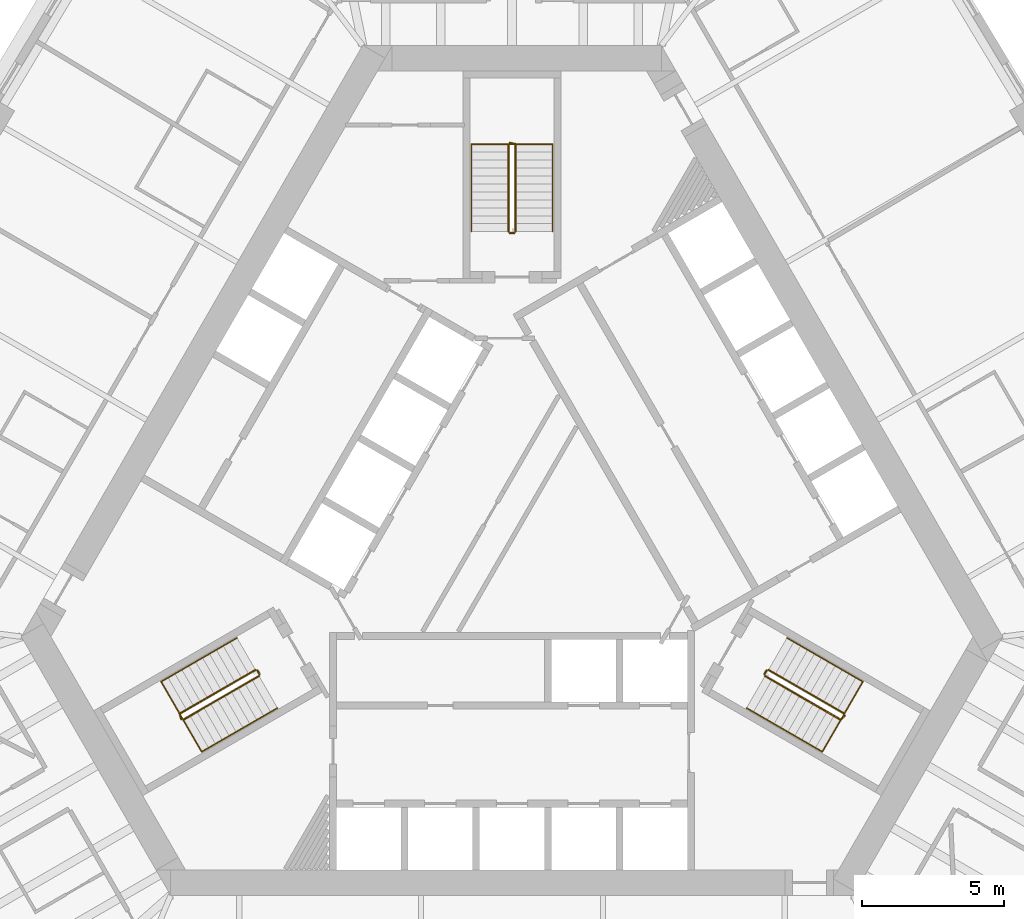
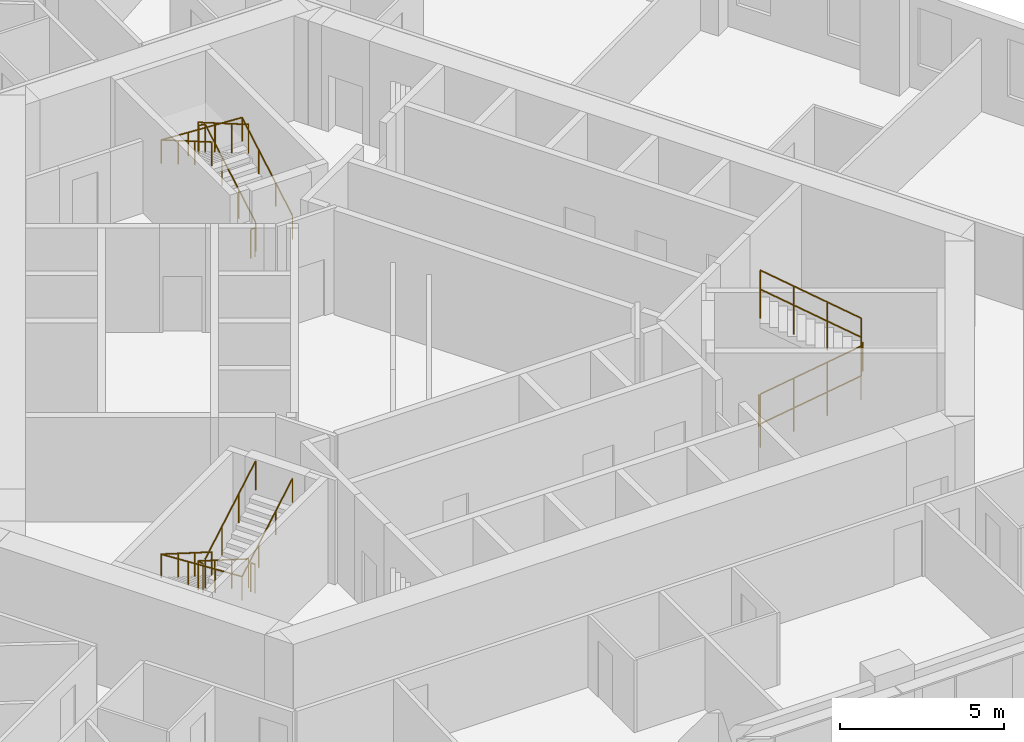
# One storey, part 12 of 12: 12 railings.
"""IFC4 building model written with IfcOpenShell, lengths in metres."""

from ifc_helpers import new_model, si_unit, direction, frame, origin, origin_2d, place, context, subcontext, project, spatial, circle, extrude, material, type_object, element, save


model = new_model("IFC4")

# Units and contexts
model_context = context("Model", 3, precision=1e-05, world=origin(), true_north=direction((0.0, 1.0)))
body_context = subcontext(model_context, "Body", "Model", "MODEL_VIEW")
ifc_project = project(units=[si_unit("LENGTHUNIT", "METRE"), si_unit("AREAUNIT", "SQUARE_METRE"), si_unit("VOLUMEUNIT", "CUBIC_METRE"), si_unit("PLANEANGLEUNIT", "RADIAN"), si_unit("MASSUNIT", "GRAM", prefix="KILO")], contexts=[model_context])

# Site, building, storey
site_placement = place(None, origin())
site = spatial("IfcSite", under=ifc_project, at=site_placement, CompositionType="ELEMENT")
building_placement = place(site_placement, origin())
building = spatial("IfcBuilding", under=site, at=building_placement, Name="Mestral Congress Tower", CompositionType="ELEMENT")
storey_placement = place(building_placement, frame((0.0, 0.0, 74.39990234375)))
storey = spatial("IfcBuildingStorey", under=building, at=storey_placement, Name="L17", CompositionType="ELEMENT", Elevation=74.39990234375)

# Railings
ifc_material_1 = material(Name="Steel balustrade", Category="steel")
railing_type_1 = type_object("IfcRailingType", Name="Stair guard 1100", PredefinedType="GUARDRAIL", material=ifc_material_1)
railing_1_placement = place(storey_placement, frame((8.90087890625, -5.283203125, 0.16259765625)))
element("IfcRailing", 1, at=railing_1_placement, inside=storey, type_object=railing_type_1, Name="L17 ST1 stair guard 1", PredefinedType="GUARDRAIL", context=body_context, shape_type="SweptSolid", body=[
    extrude(circle(Radius=0.02392578125, at=origin_2d()), frame((0.0, 0.0, 1.076171875), z_axis=(0.748993966903, -0.432462603499, 0.501980212875), x_axis=(0.500026652407, 0.866010015463, 0.0)), (0.0, 0.0, 1.0), 3.56103515625),
    extrude(circle(Radius=0.02392578125, at=origin_2d()), frame((2.667236328125, -1.5400390625, 2.86376953125), z_axis=(0.695164929852, 0.718850276695, 0.0), x_axis=(-0.718850276695, 0.695164929852, 0.0)), (0.0, 0.0, 1.0), 0.2060546875),
    extrude(circle(Radius=0.02099609375, at=origin_2d()), origin(), (0.0, 0.0, 1.0), 1.052001953125),
    extrude(circle(Radius=0.02099609375, at=origin_2d()), frame((0.88916015625, -0.513427734375, 0.595947265625)), (0.0, 0.0, 1.0), 1.052001953125),
    extrude(circle(Radius=0.02099609375, at=origin_2d()), frame((1.778076171875, -1.026611328125, 1.191650390625)), (0.0, 0.0, 1.0), 1.052001953125),
    extrude(circle(Radius=0.02099609375, at=origin_2d()), frame((2.667236328125, -1.5400390625, 1.78759765625)), (0.0, 0.0, 1.0), 1.052001953125),
    extrude(circle(Radius=0.02099609375, at=origin_2d()), frame((2.810546875, -1.391845703125, 1.78759765625)), (0.0, 0.0, 1.0), 1.052001953125),
])
railing_2_placement = place(storey_placement, frame((11.693115234375, -6.606689453125, 2.112548828125)))
element("IfcRailing", 2, at=railing_2_placement, inside=storey, type_object=railing_type_1, Name="L17 ST1 stair guard 2", PredefinedType="GUARDRAIL", context=body_context, shape_type="SweptSolid", body=[
    extrude(circle(Radius=0.02392578125, at=origin_2d()), frame((0.0, 0.0, 1.076171875), z_axis=(-0.748993966903, 0.432462603499, 0.501980212875), x_axis=(-0.500026652407, -0.866010015463, 0.0)), (0.0, 0.0, 1.0), 3.56103515625),
    extrude(circle(Radius=0.02099609375, at=origin_2d()), origin(), (0.0, 0.0, 1.0), 1.052001953125),
    extrude(circle(Radius=0.02099609375, at=origin_2d()), frame((-0.88916015625, 0.513427734375, 0.595947265625)), (0.0, 0.0, 1.0), 1.052001953125),
    extrude(circle(Radius=0.02099609375, at=origin_2d()), frame((-1.778076171875, 1.026611328125, 1.191650390625)), (0.0, 0.0, 1.0), 1.052001953125),
    extrude(circle(Radius=0.02099609375, at=origin_2d()), frame((-2.667236328125, 1.5400390625, 1.78759765625)), (0.0, 0.0, 1.0), 1.052001953125),
])
railing_3_placement = place(storey_placement, frame((8.882568359375, -5.21484375, 0.0)))
element("IfcRailing", 3, at=railing_3_placement, inside=storey, type_object=railing_type_1, Name="L17 ST1 stair guard 3", PredefinedType="GUARDRAIL", context=body_context, shape_type="SweptSolid", body=[
    extrude(circle(Radius=0.02392578125, at=origin_2d()), frame((0.0, 0.0, 1.076171875), z_axis=(0.499816412211, 0.866131372301, 0.0), x_axis=(-0.866131372301, 0.499816412211, 0.0)), (0.0, 0.0, 1.0), 0.14990234375),
    extrude(circle(Radius=0.02099609375, at=origin_2d()), origin(), (0.0, 0.0, 1.0), 1.052001953125),
    extrude(circle(Radius=0.02099609375, at=origin_2d()), frame((0.074951171875, 0.1298828125, 0.0)), (0.0, 0.0, 1.0), 1.052001953125),
])
railing_4_placement = place(storey_placement, frame((0.125, 10.35009765625, 0.16259765625)))
element("IfcRailing", 4, at=railing_4_placement, inside=storey, type_object=railing_type_1, Name="L17 ST2 stair guard 1", PredefinedType="GUARDRAIL", context=body_context, shape_type="SweptSolid", body=[
    extrude(circle(Radius=0.02392578125, at=origin_2d()), frame((0.0, 0.0, 1.076171875), z_axis=(0.0, 0.864873446163, 0.501989962173), x_axis=(-1.0, 0.0, 0.0)), (0.0, 0.0, 1.0), 3.56103515625),
    extrude(circle(Radius=0.02392578125, at=origin_2d()), frame((0.0, 3.079833984375, 2.86376953125), z_axis=(-0.970072785993, 0.242814311512, 0.0), x_axis=(-0.242814311512, -0.970072785993, 0.0)), (0.0, 0.0, 1.0), 0.2060546875),
    extrude(circle(Radius=0.02099609375, at=origin_2d()), origin(), (0.0, 0.0, 1.0), 1.052001953125),
    extrude(circle(Radius=0.02099609375, at=origin_2d()), frame((0.0, 1.026611328125, 0.595947265625)), (0.0, 0.0, 1.0), 1.052001953125),
    extrude(circle(Radius=0.02099609375, at=origin_2d()), frame((0.0, 2.05322265625, 1.191650390625)), (0.0, 0.0, 1.0), 1.052001953125),
    extrude(circle(Radius=0.02099609375, at=origin_2d()), frame((0.0, 3.079833984375, 1.78759765625)), (0.0, 0.0, 1.0), 1.052001953125),
    extrude(circle(Radius=0.02099609375, at=origin_2d()), frame((-0.199951171875, 3.1298828125, 1.78759765625)), (0.0, 0.0, 1.0), 1.052001953125),
])
railing_5_placement = place(storey_placement, frame((-0.125, 13.429931640625, 2.112548828125)))
element("IfcRailing", 5, at=railing_5_placement, inside=storey, type_object=railing_type_1, Name="L17 ST2 stair guard 2", PredefinedType="GUARDRAIL", context=body_context, shape_type="SweptSolid", body=[
    extrude(circle(Radius=0.02392578125, at=origin_2d()), frame((0.0, 0.0, 1.076171875), z_axis=(0.0, -0.864873446163, 0.501989962173), x_axis=(1.0, 0.0, 0.0)), (0.0, 0.0, 1.0), 3.56103515625),
    extrude(circle(Radius=0.02099609375, at=origin_2d()), origin(), (0.0, 0.0, 1.0), 1.052001953125),
    extrude(circle(Radius=0.02099609375, at=origin_2d()), frame((0.0, -1.026611328125, 0.595947265625)), (0.0, 0.0, 1.0), 1.052001953125),
    extrude(circle(Radius=0.02099609375, at=origin_2d()), frame((0.0, -2.05322265625, 1.191650390625)), (0.0, 0.0, 1.0), 1.052001953125),
    extrude(circle(Radius=0.02099609375, at=origin_2d()), frame((0.0, -3.079833984375, 1.78759765625)), (0.0, 0.0, 1.0), 1.052001953125),
])
railing_6_placement = place(storey_placement, frame((0.074951171875, 10.300048828125, 0.0)))
element("IfcRailing", 6, at=railing_6_placement, inside=storey, type_object=railing_type_1, Name="L17 ST2 stair guard 3", PredefinedType="GUARDRAIL", context=body_context, shape_type="SweptSolid", body=[
    extrude(circle(Radius=0.02392578125, at=origin_2d()), frame((0.0, 0.0, 1.076171875), z_axis=(-1.0, 0.0, 0.0), x_axis=(0.0, -1.0, 0.0)), (0.0, 0.0, 1.0), 0.14990234375),
    extrude(circle(Radius=0.02099609375, at=origin_2d()), origin(), (0.0, 0.0, 1.0), 1.052001953125),
    extrude(circle(Radius=0.02099609375, at=origin_2d()), frame((-0.14990234375, 0.0, 0.0)), (0.0, 0.0, 1.0), 1.052001953125),
])
railing_7_placement = place(storey_placement, frame((-9.02587890625, -5.066650390625, 0.16259765625)))
element("IfcRailing", 7, at=railing_7_placement, inside=storey, type_object=railing_type_1, Name="L17 ST3 stair guard 1", PredefinedType="GUARDRAIL", context=body_context, shape_type="SweptSolid", body=[
    extrude(circle(Radius=0.02392578125, at=origin_2d()), frame((0.0, 0.0, 1.076171875), z_axis=(-0.748993966903, -0.432462603499, 0.501980212875), x_axis=(0.500026652407, -0.866010015463, 0.0)), (0.0, 0.0, 1.0), 3.56103515625),
    extrude(circle(Radius=0.02392578125, at=origin_2d()), frame((-2.667236328125, -1.5400390625, 2.86376953125), z_axis=(0.274721127897, -0.961523947641, 0.0), x_axis=(0.961523947641, 0.274721127897, 0.0)), (0.0, 0.0, 1.0), 0.2060546875),
    extrude(circle(Radius=0.02099609375, at=origin_2d()), origin(), (0.0, 0.0, 1.0), 1.052001953125),
    extrude(circle(Radius=0.02099609375, at=origin_2d()), frame((-0.88916015625, -0.513427734375, 0.595947265625)), (0.0, 0.0, 1.0), 1.052001953125),
    extrude(circle(Radius=0.02099609375, at=origin_2d()), frame((-1.778076171875, -1.026611328125, 1.191650390625)), (0.0, 0.0, 1.0), 1.052001953125),
    extrude(circle(Radius=0.02099609375, at=origin_2d()), frame((-2.667236328125, -1.5400390625, 1.78759765625)), (0.0, 0.0, 1.0), 1.052001953125),
    extrude(circle(Radius=0.02099609375, at=origin_2d()), frame((-2.610595703125, -1.73828125, 1.78759765625)), (0.0, 0.0, 1.0), 1.052001953125),
])
railing_8_placement = place(storey_placement, frame((-11.568115234375, -6.8232421875, 2.112548828125)))
element("IfcRailing", 8, at=railing_8_placement, inside=storey, type_object=railing_type_1, Name="L17 ST3 stair guard 2", PredefinedType="GUARDRAIL", context=body_context, shape_type="SweptSolid", body=[
    extrude(circle(Radius=0.02392578125, at=origin_2d()), frame((0.0, 0.0, 1.076171875), z_axis=(0.748993966903, 0.432462603499, 0.501980212875), x_axis=(-0.500026652407, 0.866010015463, 0.0)), (0.0, 0.0, 1.0), 3.56103515625),
    extrude(circle(Radius=0.02099609375, at=origin_2d()), origin(), (0.0, 0.0, 1.0), 1.052001953125),
    extrude(circle(Radius=0.02099609375, at=origin_2d()), frame((0.88916015625, 0.513427734375, 0.595947265625)), (0.0, 0.0, 1.0), 1.052001953125),
    extrude(circle(Radius=0.02099609375, at=origin_2d()), frame((1.778076171875, 1.026611328125, 1.191650390625)), (0.0, 0.0, 1.0), 1.052001953125),
    extrude(circle(Radius=0.02099609375, at=origin_2d()), frame((2.667236328125, 1.5400390625, 1.78759765625)), (0.0, 0.0, 1.0), 1.052001953125),
])
railing_9_placement = place(storey_placement, frame((-8.95751953125, -5.0849609375, 0.0)))
element("IfcRailing", 9, at=railing_9_placement, inside=storey, type_object=railing_type_1, Name="L17 ST3 stair guard 3", PredefinedType="GUARDRAIL", context=body_context, shape_type="SweptSolid", body=[
    extrude(circle(Radius=0.02392578125, at=origin_2d()), frame((0.0, 0.0, 1.076171875), z_axis=(0.499816412211, -0.866131372301, 0.0), x_axis=(0.866131372301, 0.499816412211, 0.0)), (0.0, 0.0, 1.0), 0.14990234375),
    extrude(circle(Radius=0.02099609375, at=origin_2d()), origin(), (0.0, 0.0, 1.0), 1.052001953125),
    extrude(circle(Radius=0.02099609375, at=origin_2d()), frame((0.074951171875, -0.1298828125, 0.0)), (0.0, 0.0, 1.0), 1.052001953125),
])
ifc_material_2 = material(Name="Steel handrail", Category="steel")
railing_type_2 = type_object("IfcRailingType", Name="Stair handrail 900", PredefinedType="HANDRAIL", material=ifc_material_2)
railing_10_placement = place(storey_placement, frame((8.2509765625, -6.4091796875, 0.16259765625)))
element("IfcRailing", 10, at=railing_10_placement, inside=storey, type_object=railing_type_2, Name="L17 ST1 stair handrail 1", PredefinedType="HANDRAIL", context=body_context, shape_type="SweptSolid", body=[
    extrude(circle(Radius=0.02392578125, at=origin_2d()), frame((0.0, 0.0, 0.8759765625), z_axis=(0.749016172816, -0.432406865167, 0.50199509541), x_axis=(0.499967199496, 0.866044340336, 0.0)), (0.0, 0.0, 1.0), 3.56103515625),
    extrude(circle(Radius=0.02392578125, at=origin_2d()), frame((2.667236328125, -1.539794921875, 2.66357421875), z_axis=(0.499226936105, 0.864602552182, 0.056876120012), x_axis=(-0.866004402611, 0.500036373335, 0.0)), (0.0, 0.0, 1.0), 2.8544921875),
    extrude(circle(Radius=0.02392578125, at=origin_2d()), frame((4.09228515625, 0.92822265625, 2.82568359375), z_axis=(-0.74902406201, 0.432440397507, 0.501954437309), x_axis=(-0.499992328818, -0.866029832698, 0.0)), (0.0, 0.0, 1.0), 3.561279296875),
    extrude(circle(Radius=0.02099609375, at=origin_2d()), origin(), (0.0, 0.0, 1.0), 0.851806640625),
    extrude(circle(Radius=0.02099609375, at=origin_2d()), frame((0.88916015625, -0.51318359375, 0.595947265625)), (0.0, 0.0, 1.0), 0.851806640625),
    extrude(circle(Radius=0.02099609375, at=origin_2d()), frame((1.778076171875, -1.026611328125, 1.191650390625)), (0.0, 0.0, 1.0), 0.851806640625),
    extrude(circle(Radius=0.02099609375, at=origin_2d()), frame((2.667236328125, -1.539794921875, 1.78759765625)), (0.0, 0.0, 1.0), 0.851806640625),
    extrude(circle(Radius=0.02099609375, at=origin_2d()), frame((3.142333984375, -0.717041015625, 1.841796875)), (0.0, 0.0, 1.0), 0.851806640625),
    extrude(circle(Radius=0.02099609375, at=origin_2d()), frame((3.6171875, 0.10546875, 1.895751953125)), (0.0, 0.0, 1.0), 0.851806640625),
    extrude(circle(Radius=0.02099609375, at=origin_2d()), frame((4.09228515625, 0.92822265625, 1.949951171875)), (0.0, 0.0, 1.0), 0.851806640625),
    extrude(circle(Radius=0.02099609375, at=origin_2d()), frame((3.203125, 1.441650390625, 2.5458984375)), (0.0, 0.0, 1.0), 0.851806640625),
    extrude(circle(Radius=0.02099609375, at=origin_2d()), frame((2.31396484375, 1.954833984375, 3.1416015625)), (0.0, 0.0, 1.0), 0.851806640625),
    extrude(circle(Radius=0.02099609375, at=origin_2d()), frame((1.4248046875, 2.46826171875, 3.737548828125)), (0.0, 0.0, 1.0), 0.851806640625),
])
railing_11_placement = place(storey_placement, frame((1.425048828125, 10.35009765625, 0.16259765625)))
element("IfcRailing", 11, at=railing_11_placement, inside=storey, type_object=railing_type_2, Name="L17 ST2 stair handrail 1", PredefinedType="HANDRAIL", context=body_context, shape_type="SweptSolid", body=[
    extrude(circle(Radius=0.02392578125, at=origin_2d()), frame((0.0, 0.0, 0.8759765625), z_axis=(0.0, 0.864873446163, 0.501989962173), x_axis=(-1.0, 0.0, 0.0)), (0.0, 0.0, 1.0), 3.56103515625),
    extrude(circle(Radius=0.02392578125, at=origin_2d()), frame((0.0, 3.079833984375, 2.66357421875), z_axis=(-0.998381478221, 0.0, 0.056871996147), x_axis=(0.0, -1.0, 0.0)), (0.0, 0.0, 1.0), 2.854736328125),
    extrude(circle(Radius=0.02392578125, at=origin_2d()), frame((-2.85009765625, 3.079833984375, 2.82568359375), z_axis=(0.0, -0.864873446163, 0.501989962173), x_axis=(1.0, 0.0, 0.0)), (0.0, 0.0, 1.0), 3.56103515625),
    extrude(circle(Radius=0.02099609375, at=origin_2d()), origin(), (0.0, 0.0, 1.0), 0.851806640625),
    extrude(circle(Radius=0.02099609375, at=origin_2d()), frame((0.0, 1.026611328125, 0.595947265625)), (0.0, 0.0, 1.0), 0.851806640625),
    extrude(circle(Radius=0.02099609375, at=origin_2d()), frame((0.0, 2.05322265625, 1.191650390625)), (0.0, 0.0, 1.0), 0.851806640625),
    extrude(circle(Radius=0.02099609375, at=origin_2d()), frame((0.0, 3.079833984375, 1.78759765625)), (0.0, 0.0, 1.0), 0.851806640625),
    extrude(circle(Radius=0.02099609375, at=origin_2d()), frame((-0.949951171875, 3.079833984375, 1.841796875)), (0.0, 0.0, 1.0), 0.851806640625),
    extrude(circle(Radius=0.02099609375, at=origin_2d()), frame((-1.900146484375, 3.079833984375, 1.895751953125)), (0.0, 0.0, 1.0), 0.851806640625),
    extrude(circle(Radius=0.02099609375, at=origin_2d()), frame((-2.85009765625, 3.079833984375, 1.949951171875)), (0.0, 0.0, 1.0), 0.851806640625),
    extrude(circle(Radius=0.02099609375, at=origin_2d()), frame((-2.85009765625, 2.05322265625, 2.5458984375)), (0.0, 0.0, 1.0), 0.851806640625),
    extrude(circle(Radius=0.02099609375, at=origin_2d()), frame((-2.85009765625, 1.026611328125, 3.1416015625)), (0.0, 0.0, 1.0), 0.851806640625),
    extrude(circle(Radius=0.02099609375, at=origin_2d()), frame((-2.85009765625, 0.0, 3.737548828125)), (0.0, 0.0, 1.0), 0.851806640625),
])
railing_12_placement = place(storey_placement, frame((-9.67578125, -3.94091796875, 0.16259765625)))
element("IfcRailing", 12, at=railing_12_placement, inside=storey, type_object=railing_type_2, Name="L17 ST3 stair handrail 1", PredefinedType="HANDRAIL", context=body_context, shape_type="SweptSolid", body=[
    extrude(circle(Radius=0.02392578125, at=origin_2d()), frame((0.0, 0.0, 0.8759765625), z_axis=(-0.74902406201, -0.432440397507, 0.501954437309), x_axis=(0.499992328818, -0.866029832698, 0.0)), (0.0, 0.0, 1.0), 3.561279296875),
    extrude(circle(Radius=0.02392578125, at=origin_2d()), frame((-2.66748046875, -1.5400390625, 2.66357421875), z_axis=(0.499226936105, -0.864602552182, 0.056876120012), x_axis=(0.866004402611, 0.500036373335, 0.0)), (0.0, 0.0, 1.0), 2.8544921875),
    extrude(circle(Radius=0.02392578125, at=origin_2d()), frame((-1.242431640625, -4.008056640625, 2.82568359375), z_axis=(0.749016172816, 0.432406865167, 0.50199509541), x_axis=(-0.499967199496, 0.866044340336, 0.0)), (0.0, 0.0, 1.0), 3.56103515625),
    extrude(circle(Radius=0.02099609375, at=origin_2d()), origin(), (0.0, 0.0, 1.0), 0.851806640625),
    extrude(circle(Radius=0.02099609375, at=origin_2d()), frame((-0.88916015625, -0.513427734375, 0.595947265625)), (0.0, 0.0, 1.0), 0.851806640625),
    extrude(circle(Radius=0.02099609375, at=origin_2d()), frame((-1.7783203125, -1.026611328125, 1.191650390625)), (0.0, 0.0, 1.0), 0.851806640625),
    extrude(circle(Radius=0.02099609375, at=origin_2d()), frame((-2.66748046875, -1.5400390625, 1.78759765625)), (0.0, 0.0, 1.0), 0.851806640625),
    extrude(circle(Radius=0.02099609375, at=origin_2d()), frame((-2.1923828125, -2.36279296875, 1.841796875)), (0.0, 0.0, 1.0), 0.851806640625),
    extrude(circle(Radius=0.02099609375, at=origin_2d()), frame((-1.717529296875, -3.185302734375, 1.895751953125)), (0.0, 0.0, 1.0), 0.851806640625),
    extrude(circle(Radius=0.02099609375, at=origin_2d()), frame((-1.242431640625, -4.008056640625, 1.949951171875)), (0.0, 0.0, 1.0), 0.851806640625),
    extrude(circle(Radius=0.02099609375, at=origin_2d()), frame((-0.353271484375, -3.494873046875, 2.5458984375)), (0.0, 0.0, 1.0), 0.851806640625),
    extrude(circle(Radius=0.02099609375, at=origin_2d()), frame((0.53564453125, -2.9814453125, 3.1416015625)), (0.0, 0.0, 1.0), 0.851806640625),
    extrude(circle(Radius=0.02099609375, at=origin_2d()), frame((1.4248046875, -2.46826171875, 3.737548828125)), (0.0, 0.0, 1.0), 0.851806640625),
])

save(model, "model.ifc")
